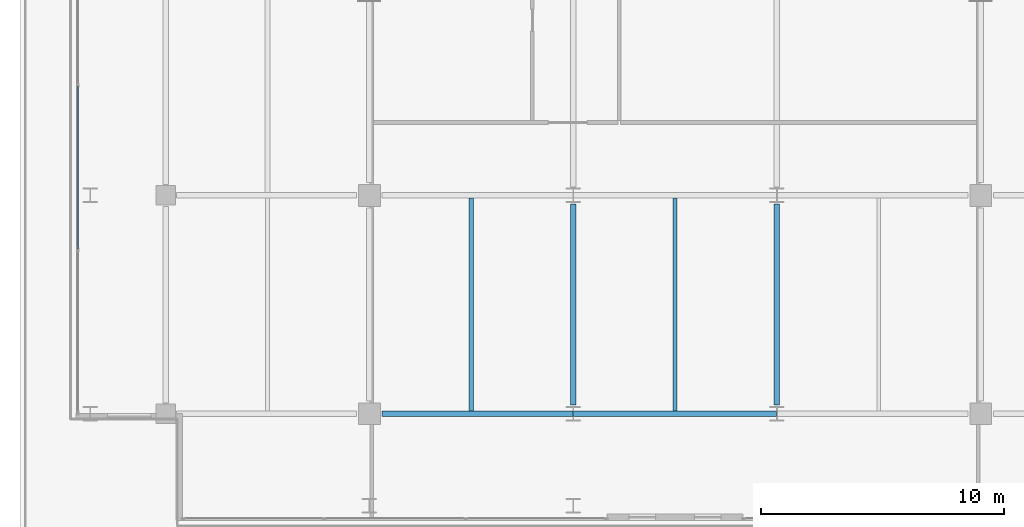
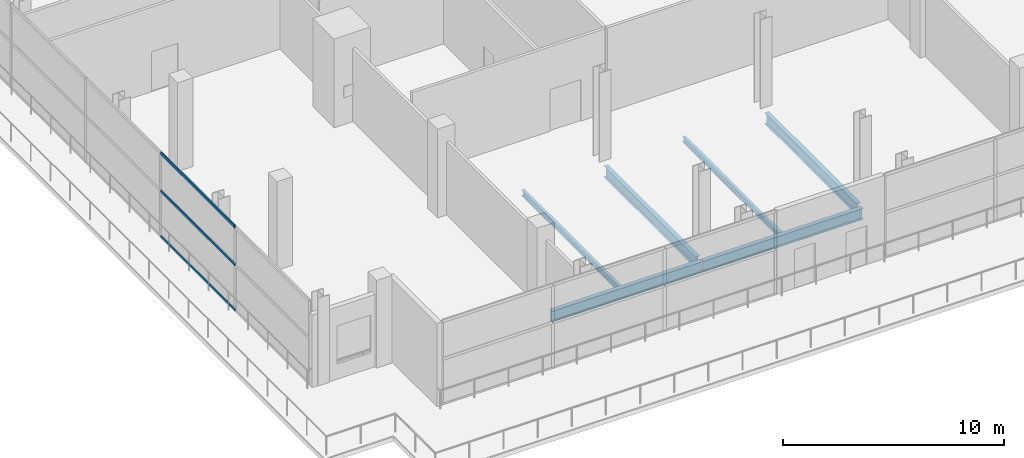
# One storey, part 6 of 31: 6 beams, 3 members, 1 element without a shape of its own.
"""IFC4 building model written with IfcOpenShell, lengths in metres."""

from ifc_helpers import new_model, si_unit, direction, frame, origin, origin_2d, place, context, subcontext, project, spatial, hollow_rectangle, i_section, extrude, material, layer, layer_set, material_profile, profile_set, type_object, element, aggregate, save


model = new_model("IFC4")

# Units and contexts
model_context = context("Model", 3, precision=1e-05, world=origin(), true_north=direction((0.0, 1.0)))
body_context = subcontext(model_context, "Body", "Model", "MODEL_VIEW")
ifc_project = project(units=[si_unit("LENGTHUNIT", "METRE"), si_unit("AREAUNIT", "SQUARE_METRE"), si_unit("VOLUMEUNIT", "CUBIC_METRE"), si_unit("PLANEANGLEUNIT", "RADIAN"), si_unit("MASSUNIT", "GRAM", prefix="KILO")], contexts=[model_context])

# Site, building, storey
site_placement = place(None, origin())
site = spatial("IfcSite", under=ifc_project, at=site_placement, CompositionType="ELEMENT")
building_placement = place(site_placement, origin())
building = spatial("IfcBuilding", under=site, at=building_placement, Name="Maruvema Waterfront Hotel and Observation Tower", CompositionType="ELEMENT")
storey_placement = place(building_placement, frame((0.0, 0.0, 122.5)))
storey = spatial("IfcBuildingStorey", under=building, at=storey_placement, Name="L29", CompositionType="ELEMENT", Elevation=122.5)

# Curtain wall, members
ifc_material_1 = material(Name="Anodised bronze aluminium and solar-control low-E IGU", Category="aluminium")
ifc_layer = layer(ifc_material_1, 0.159912109375, Name="Zone 2 Amber Inner Thermal Curtain Wall System CW-03")
ifc_layer_set = layer_set([ifc_layer], Name="Anodised bronze aluminium and solar-control low-E IGU")
curtain_wall_type = type_object("IfcCurtainWallType", Name="Zone 2 Amber Inner Thermal Curtain Wall System CW-03", PredefinedType="USERDEFINED", material=ifc_layer_set)
curtain_wall_placement = place(storey_placement, origin())
curtain_wall = element("IfcCurtainWall", 1, at=curtain_wall_placement, inside=storey, type_object=curtain_wall_type, Name="L29 Curtain Wall CW-L29-W", ObjectType="UNITISED CURTAIN WALL", PredefinedType="USERDEFINED")
ifc_material_2 = material(Name="Anodised architectural bronze aluminium", Category="aluminium")
ifc_material_profile_1 = material_profile(ifc_material_2, hollow_rectangle(XDim=0.070068359375, YDim=0.14990234375, WallThickness=0.00390625, at=origin_2d()), Name="ALU-T70x150")
ifc_profile_set_1 = profile_set([ifc_material_profile_1], Name="Anodised architectural bronze aluminium")
member_type = type_object("IfcMemberType", Name="Curtain Wall Horizontal Transom ALU-T70x150", PredefinedType="USERDEFINED", material=ifc_profile_set_1)
member_1_placement = place(storey_placement, frame((13.179931640625, 22.50341796875, 0.030029296875), z_axis=(0.0, -1.0, 0.0), x_axis=(1.0, 0.0, 0.0)))
member_1 = element("IfcMember", 2, at=member_1_placement, type_object=member_type, Name="CW-03 transom 5.1", ObjectType="TRANSOM", PredefinedType="USERDEFINED", context=body_context, shape_type="SweptSolid", body=[
    extrude(hollow_rectangle(XDim=0.070068359375, YDim=0.14990234375, WallThickness=0.00390625, at=origin_2d()), origin(), (0.0, 0.0, 1.0), 6.706787109375),
])
member_2_placement = place(storey_placement, frame((13.179931640625, 22.50341796875, 2.550048828125), z_axis=(0.0, -1.0, 0.0), x_axis=(1.0, 0.0, 0.0)))
member_2 = element("IfcMember", 3, at=member_2_placement, type_object=member_type, Name="CW-03 transom 5.2", ObjectType="TRANSOM", PredefinedType="USERDEFINED", context=body_context, shape_type="SweptSolid", body=[
    extrude(hollow_rectangle(XDim=0.070068359375, YDim=0.14990234375, WallThickness=0.00390625, at=origin_2d()), origin(), (0.0, 0.0, 1.0), 6.706787109375),
])
member_3_placement = place(storey_placement, frame((13.179931640625, 22.50341796875, 4.6298828125), z_axis=(0.0, -1.0, 0.0), x_axis=(1.0, 0.0, 0.0)))
member_3 = element("IfcMember", 4, at=member_3_placement, type_object=member_type, Name="CW-03 transom 5.3", ObjectType="TRANSOM", PredefinedType="USERDEFINED", context=body_context, shape_type="SweptSolid", body=[
    extrude(hollow_rectangle(XDim=0.070068359375, YDim=0.14990234375, WallThickness=0.00390625, at=origin_2d()), origin(), (0.0, 0.0, 1.0), 6.706787109375),
])
aggregate(curtain_wall, [member_1, member_2, member_3])

# Beams
ifc_material_3 = material(Name="Steel ASTM A572 Grade 50", Category="steel")
ifc_material_profile_2 = material_profile(ifc_material_3, i_section(OverallWidth=0.22900390625, OverallDepth=0.612060546875, WebThickness=0.011962890625, FlangeThickness=0.01953125, FilletRadius=0.01806640625, at=origin_2d()), Name="W610x125.0")
ifc_profile_set_2 = profile_set([ifc_material_profile_2], Name="Steel ASTM A572 Grade 50")
beam_type_1 = type_object("IfcBeamType", Name="Primary Floor Girder W610x125.0", PredefinedType="BEAM", material=ifc_profile_set_2)
beam_1_placement = place(storey_placement, frame((25.72509765625, 9.0, -0.5458984375), z_axis=(1.0, 0.0, 0.0), x_axis=(0.0, 1.0, 0.0)))
element("IfcBeam", 5, at=beam_1_placement, inside=storey, type_object=beam_type_1, Name="L29 Floor Girder EW-02", PredefinedType="BEAM", context=body_context, shape_type="SweptSolid", body=[
    extrude(i_section(OverallWidth=0.22900390625, OverallDepth=0.612060546875, WebThickness=0.011962890625, FlangeThickness=0.01953125, FilletRadius=0.01806640625, at=origin_2d()), origin(), (0.0, 0.0, 1.0), 7.86083984375),
])
beam_2_placement = place(storey_placement, frame((33.614013671875, 9.0, -0.5458984375), z_axis=(1.0, 0.0, 0.0), x_axis=(0.0, 1.0, 0.0)))
element("IfcBeam", 6, at=beam_2_placement, inside=storey, type_object=beam_type_1, Name="L29 Floor Girder EW-03", PredefinedType="BEAM", context=body_context, shape_type="SweptSolid", body=[
    extrude(i_section(OverallWidth=0.22900390625, OverallDepth=0.612060546875, WebThickness=0.011962890625, FlangeThickness=0.01953125, FilletRadius=0.01806640625, at=origin_2d()), origin(), (0.0, 0.0, 1.0), 8.3720703125),
])
for number, where, z_axis, x_axis, name in (
    (7, (33.60009765625, 9.35009765625, -0.5458984375), (0.0, 1.0, 0.0), (-1.0, 0.0, 0.0), "L29 Floor Girder NS-09"),
    (8, (42.0, 9.35009765625, -0.5458984375), (0.0, 1.0, 0.0), (-1.0, 0.0, 0.0), "L29 Floor Girder NS-11"),
):
    element("IfcBeam", number, at=place(storey_placement, frame(where, z_axis=z_axis, x_axis=x_axis)), inside=storey, type_object=beam_type_1, Name=name, PredefinedType="BEAM", context=body_context, shape_type="SweptSolid", body=[
        extrude(i_section(OverallWidth=0.22900390625, OverallDepth=0.612060546875, WebThickness=0.011962890625, FlangeThickness=0.01953125, FilletRadius=0.01806640625, at=origin_2d()), origin(), (0.0, 0.0, 1.0), 8.2998046875),
    ])
ifc_material_4 = material(Name="Steel ASTM A572 Grade 50", Category="steel")
ifc_material_profile_3 = material_profile(ifc_material_4, i_section(OverallWidth=0.1650390625, OverallDepth=0.31005859375, WebThickness=0.005859375, FlangeThickness=0.009765625, FilletRadius=0.012939453125, at=origin_2d()), Name="W310x38.7")
ifc_profile_set_3 = profile_set([ifc_material_profile_3], Name="Steel ASTM A572 Grade 50")
beam_type_2 = type_object("IfcBeamType", Name="Secondary Floor Joist W310x38.7", PredefinedType="JOIST", material=ifc_profile_set_3)
beam_3_placement = place(storey_placement, frame((37.800048828125, 9.114501953125, -0.39501953125), z_axis=(0.0, 1.0, 0.0), x_axis=(-1.0, 0.0, 0.0)))
element("IfcBeam", 9, at=beam_3_placement, inside=storey, type_object=beam_type_2, Name="L29 Secondary Floor Joist JS-06", PredefinedType="JOIST", context=body_context, shape_type="SweptSolid", body=[
    extrude(i_section(OverallWidth=0.1650390625, OverallDepth=0.31005859375, WebThickness=0.005859375, FlangeThickness=0.009765625, FilletRadius=0.012939453125, at=origin_2d()), origin(), (0.0, 0.0, 1.0), 8.77099609375),
])
ifc_material_5 = material(Name="Steel ASTM A572 Grade 50", Category="steel")
ifc_material_profile_4 = material_profile(ifc_material_5, i_section(OverallWidth=0.1669921875, OverallDepth=0.31689453125, WebThickness=0.007568359375, FlangeThickness=0.01318359375, FilletRadius=0.012939453125, at=origin_2d()), Name="W310x52.0")
ifc_profile_set_4 = profile_set([ifc_material_profile_4], Name="Steel ASTM A572 Grade 50")
beam_type_3 = type_object("IfcBeamType", Name="Secondary Floor Joist W310x52.0", PredefinedType="JOIST", material=ifc_profile_set_4)
beam_4_placement = place(storey_placement, frame((29.39990234375, 9.114501953125, -0.3984375), z_axis=(0.0, 1.0, 0.0), x_axis=(-1.0, 0.0, 0.0)))
element("IfcBeam", 10, at=beam_4_placement, inside=storey, type_object=beam_type_3, Name="L29 Secondary Floor Joist JS-05", PredefinedType="JOIST", context=body_context, shape_type="SweptSolid", body=[
    extrude(i_section(OverallWidth=0.1669921875, OverallDepth=0.31689453125, WebThickness=0.007568359375, FlangeThickness=0.01318359375, FilletRadius=0.012939453125, at=origin_2d()), origin(), (0.0, 0.0, 1.0), 8.77099609375),
])

save(model, "model.ifc")
